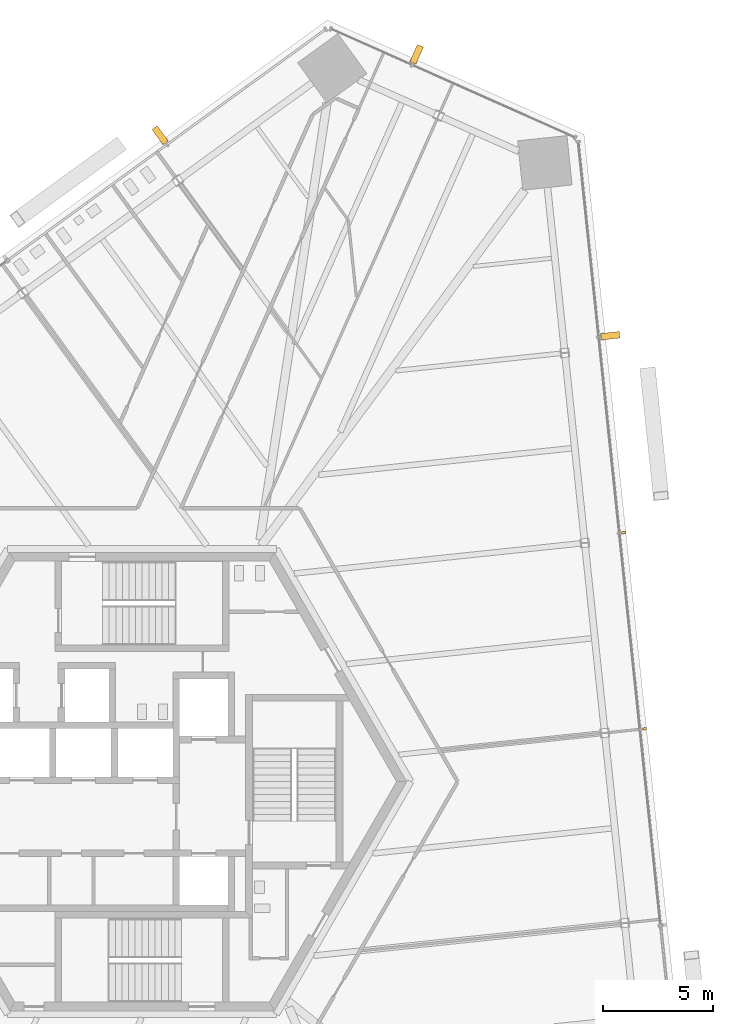
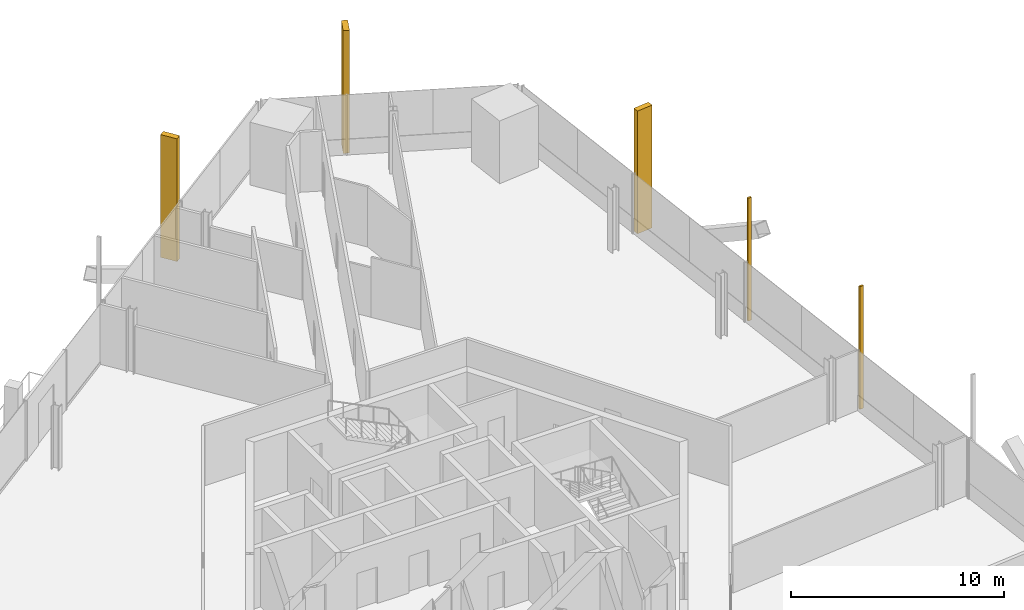
# One storey, part 18 of 21: 5 shading devices.
"""IFC4 building model written with IfcOpenShell, lengths in metres."""

from ifc_helpers import new_model, si_unit, direction, frame, origin, origin_2d, place, context, subcontext, project, spatial, rectangle, extrude, source, transform, mapped, material, element, save


model = new_model("IFC4")

# Units and contexts
model_context = context("Model", 3, precision=1e-05, world=origin(), true_north=direction((0.0, 1.0)))
body_context = subcontext(model_context, "Body", "Model", "MODEL_VIEW")
ifc_project = project(units=[si_unit("LENGTHUNIT", "METRE"), si_unit("AREAUNIT", "SQUARE_METRE"), si_unit("VOLUMEUNIT", "CUBIC_METRE"), si_unit("PLANEANGLEUNIT", "RADIAN"), si_unit("MASSUNIT", "GRAM", prefix="KILO")], contexts=[model_context])

# Site, building, storey
site_placement = place(None, origin())
site = spatial("IfcSite", under=ifc_project, at=site_placement, CompositionType="ELEMENT")
building_placement = place(site_placement, origin())
building = spatial("IfcBuilding", under=site, at=building_placement, Name="Triune Harvest Tower", CompositionType="ELEMENT")
storey_placement = place(building_placement, frame((0.0, 0.0, 65.699951171875)))
storey = spatial("IfcBuildingStorey", under=building, at=storey_placement, Name="L15", CompositionType="ELEMENT", Elevation=65.699951171875)

# Shading devices
ifc_material = material(Name="Aluminium bronze anodised", Category="aluminium")
shared_shape_1 = source(origin(), body_context, "Body", "SweptSolid", [
    extrude(rectangle(XDim=0.10009765625, YDim=0.199951171875, at=origin_2d()), origin(), (0.0, 0.0, 1.0), 7.0400390625),
])
for number, where, z_axis, x_axis, name in (
    (1, (22.772216796875, 2.3935546875, 0.0), (0.0, 0.0, 1.0), (-0.104527536558, 0.994521992769, 0.0), "FN-1 fin B2-F1.7 L15"),
    (2, (21.837646484375, 11.28564453125, 0.0), (0.0, 0.0, 1.0), (-0.104527536558, 0.994521992769, 0.0), "FN-1 fin B2-F1.9 L15"),
):
    element("IfcShadingDevice", number, at=place(storey_placement, frame(where, z_axis=z_axis, x_axis=x_axis)), inside=storey, material=ifc_material, Name=name, ObjectType="FIN", PredefinedType="USERDEFINED", context=body_context, shape_type="MappedRepresentation", body=[
        mapped(shared_shape_1, transform((0.0, 0.0, 0.0), scale=1.0)),
    ])
shared_shape_2 = source(origin(), body_context, "Body", "SweptSolid", [
    extrude(rectangle(XDim=0.300048828125, YDim=0.85009765625, at=origin_2d()), origin(), (0.0, 0.0, 1.0), 7.0400390625),
])
for number, where, z_axis, x_axis, name in (
    (3, (21.226318359375, 20.211669921875, 0.0), (0.0, 0.0, 1.0), (-0.104527536558, 0.994521992769, 0.0), "FN-2 fin B2-F1.11 L15"),
    (4, (12.448974609375, 32.968505859375, 0.0), (0.0, 0.0, 1.0), (-0.913546644034, 0.406733978386, 0.0), "FN-2 fin B2-F2.3 L15"),
    (5, (0.822021484375, 29.302001953125, 0.0), (0.0, 0.0, 1.0), (-0.809017013446, -0.587785226043, 0.0), "FN-2 fin B2-F3.3 L15"),
):
    element("IfcShadingDevice", number, at=place(storey_placement, frame(where, z_axis=z_axis, x_axis=x_axis)), inside=storey, material=ifc_material, Name=name, ObjectType="FIN", PredefinedType="USERDEFINED", context=body_context, shape_type="MappedRepresentation", body=[
        mapped(shared_shape_2, transform((0.0, 0.0, 0.0), scale=1.0)),
    ])

save(model, "model.ifc")
